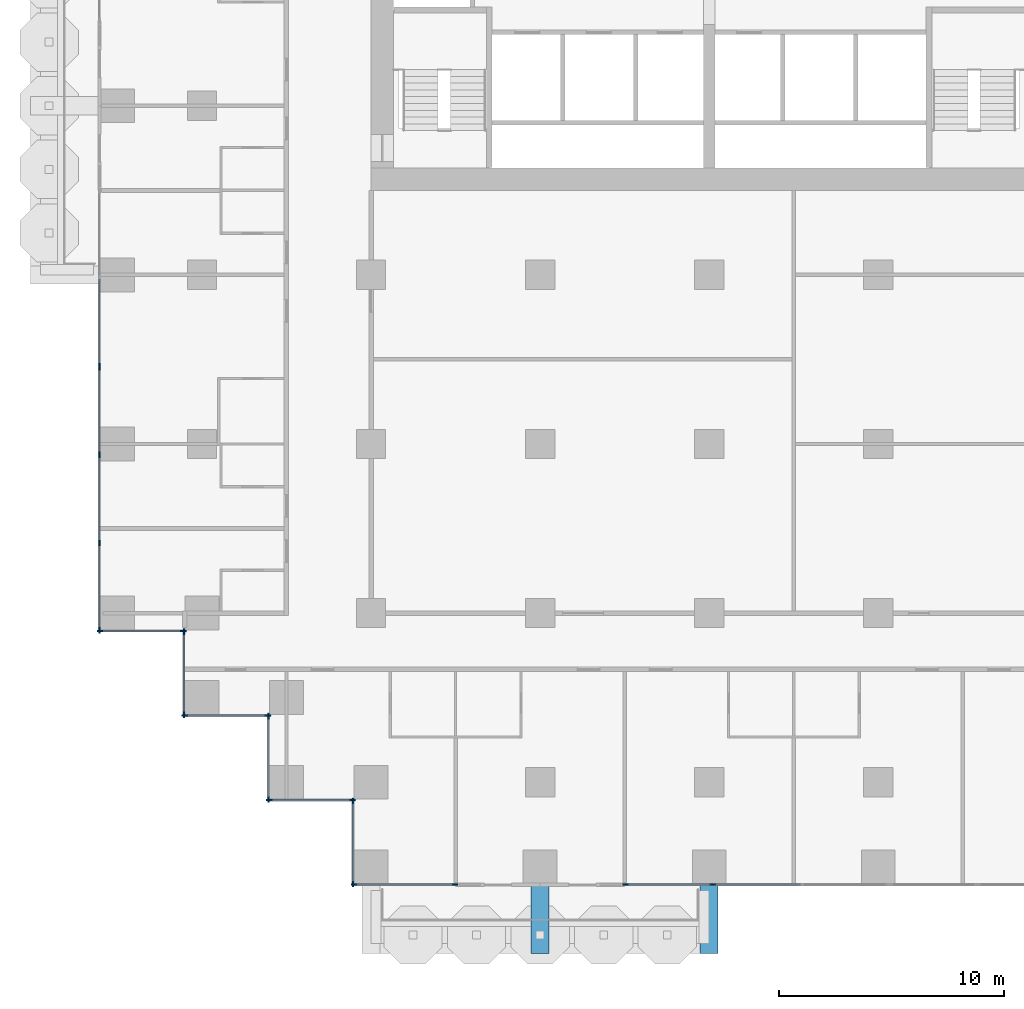
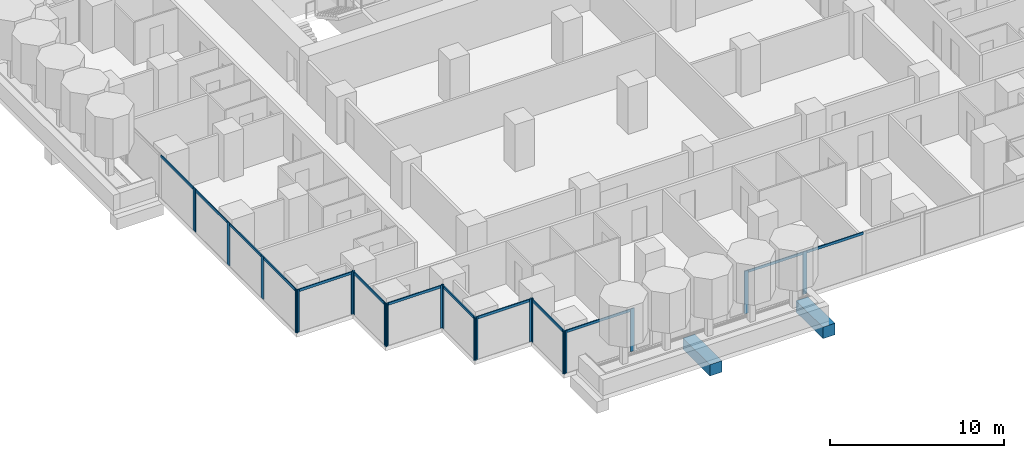
# One storey, part 2 of 18: 34 members, 2 beams, 10 elements without a shape of their own.
"""IFC4 building model written with IfcOpenShell, lengths in metres."""

from ifc_helpers import new_model, si_unit, direction, frame, origin, origin_2d, place, context, subcontext, project, spatial, rectangle, extrude, material, material_profile, profile_set, type_object, element, aggregate, save


model = new_model("IFC4")

# Units and contexts
model_context = context("Model", 3, precision=1e-05, world=origin(), true_north=direction((0.0, 1.0)))
body_context = subcontext(model_context, "Body", "Model", "MODEL_VIEW")
ifc_project = project(units=[si_unit("LENGTHUNIT", "METRE"), si_unit("AREAUNIT", "SQUARE_METRE"), si_unit("VOLUMEUNIT", "CUBIC_METRE"), si_unit("PLANEANGLEUNIT", "RADIAN"), si_unit("MASSUNIT", "GRAM", prefix="KILO")], contexts=[model_context])

# Site, building, storey
site_placement = place(None, origin())
site = spatial("IfcSite", under=ifc_project, at=site_placement, CompositionType="ELEMENT")
building_placement = place(site_placement, origin())
building = spatial("IfcBuilding", under=site, at=building_placement, Name="Pilkhan Gate Tower", CompositionType="ELEMENT")
storey_placement = place(building_placement, frame((0.0, 0.0, 82.39990234375)))
storey = spatial("IfcBuildingStorey", under=building, at=storey_placement, Name="L19", CompositionType="ELEMENT", Elevation=82.39990234375)

# Beams
ifc_material_1 = material(Name="Concrete C50/60", Category="concrete")
ifc_material_profile_1 = material_profile(ifc_material_1, rectangle(XDim=0.800048828125, YDim=0.800048828125, at=origin_2d()), Name="RC 800x800")
ifc_profile_set_1 = profile_set([ifc_material_profile_1], Name="Concrete C50/60")
beam_type = type_object("IfcBeamType", Name="Cantilever beam CB2 RC 800x800 C50/60", PredefinedType="BEAM", material=ifc_profile_set_1)
for number, where, z_axis, x_axis, name in (
    (1, (67.5, 40.5, -0.699951171875), (0.0, -1.0, 0.0), (1.0, 0.0, 0.0), "Balcony beam S.2 L19"),
    (2, (75.0, 40.5, -0.699951171875), (0.0, -1.0, 0.0), (1.0, 0.0, 0.0), "Balcony beam S.3 L19"),
):
    element("IfcBeam", number, at=place(storey_placement, frame(where, z_axis=z_axis, x_axis=x_axis)), inside=storey, type_object=beam_type, Name=name, PredefinedType="BEAM", context=body_context, shape_type="SweptSolid", body=[
        extrude(rectangle(XDim=0.800048828125, YDim=0.800048828125, at=origin_2d()), origin(), (0.0, 0.0, 1.0), 3.10009765625),
    ])

# Curtain wall, members
ifc_material_2 = material(Name="Pale anodised aluminium, clear low-iron double glazing", Category="aluminium")
curtain_wall_type = type_object("IfcCurtainWallType", Name="Hotel unitised curtain wall CW-H", PredefinedType="USERDEFINED", material=ifc_material_2)
curtain_wall_1_placement = place(storey_placement, origin())
curtain_wall_1 = element("IfcCurtainWall", 3, at=curtain_wall_1_placement, inside=storey, type_object=curtain_wall_type, Name="Hotel unitised curtain wall CW-H L19 W", ObjectType="UNITISED CURTAIN WALL", PredefinedType="USERDEFINED")
ifc_material_3 = material(Name="Pale anodised aluminium", Category="aluminium")
ifc_material_profile_2 = material_profile(ifc_material_3, rectangle(XDim=0.06494140625, YDim=0.25, at=origin_2d()), Name="Mullion 250x65")
ifc_profile_set_2 = profile_set([ifc_material_profile_2], Name="Pale anodised aluminium")
member_type_1 = type_object("IfcMemberType", Name="Mullion CW-H 250x65", PredefinedType="MULLION", material=ifc_profile_set_2)
member_1_placement = place(storey_placement, frame((47.955078125, 51.737548828125, 0.0), z_axis=(0.0, 0.0, 1.0), x_axis=(-1.0, 0.0, 0.0)))
member_1 = element("IfcMember", 4, at=member_1_placement, type_object=member_type_1, Name="CW-H mullion 1", PredefinedType="MULLION", context=body_context, shape_type="SweptSolid", body=[
    extrude(rectangle(XDim=0.06494140625, YDim=0.25, at=origin_2d()), origin(), (0.0, 0.0, 1.0), 3.0),
])
member_2_placement = place(storey_placement, frame((47.955078125, 55.614013671875, 0.0), z_axis=(0.0, 0.0, 1.0), x_axis=(-1.0, 0.0, 0.0)))
member_2 = element("IfcMember", 5, at=member_2_placement, type_object=member_type_1, Name="CW-H mullion 2", PredefinedType="MULLION", context=body_context, shape_type="SweptSolid", body=[
    extrude(rectangle(XDim=0.06494140625, YDim=0.25, at=origin_2d()), origin(), (0.0, 0.0, 1.0), 3.0),
])
member_3_placement = place(storey_placement, frame((47.955078125, 59.52294921875, 0.0), z_axis=(0.0, 0.0, 1.0), x_axis=(-1.0, 0.0, 0.0)))
member_3 = element("IfcMember", 6, at=member_3_placement, type_object=member_type_1, Name="CW-H mullion 3", PredefinedType="MULLION", context=body_context, shape_type="SweptSolid", body=[
    extrude(rectangle(XDim=0.06494140625, YDim=0.25, at=origin_2d()), origin(), (0.0, 0.0, 1.0), 3.0),
])
member_4_placement = place(storey_placement, frame((47.955078125, 63.3994140625, 0.0), z_axis=(0.0, 0.0, 1.0), x_axis=(-1.0, 0.0, 0.0)))
member_4 = element("IfcMember", 7, at=member_4_placement, type_object=member_type_1, Name="CW-H mullion 4", PredefinedType="MULLION", context=body_context, shape_type="SweptSolid", body=[
    extrude(rectangle(XDim=0.06494140625, YDim=0.25, at=origin_2d()), origin(), (0.0, 0.0, 1.0), 3.0),
])

# Curtain wall, member
curtain_wall_2_placement = place(storey_placement, origin())
curtain_wall_2 = element("IfcCurtainWall", 8, at=curtain_wall_2_placement, inside=storey, type_object=curtain_wall_type, Name="Hotel unitised curtain wall CW-H L19 W", ObjectType="UNITISED CURTAIN WALL", PredefinedType="USERDEFINED")
member_5_placement = place(storey_placement, frame((47.955078125, 63.464599609375, 0.0), z_axis=(0.0, 0.0, 1.0), x_axis=(-1.0, 0.0, 0.0)))
member_5 = element("IfcMember", 9, at=member_5_placement, type_object=member_type_1, Name="CW-H mullion 1", PredefinedType="MULLION", context=body_context, shape_type="SweptSolid", body=[
    extrude(rectangle(XDim=0.06494140625, YDim=0.25, at=origin_2d()), origin(), (0.0, 0.0, 1.0), 3.0),
])

# Curtain wall, members
curtain_wall_3_placement = place(storey_placement, origin())
curtain_wall_3 = element("IfcCurtainWall", 10, at=curtain_wall_3_placement, inside=storey, type_object=curtain_wall_type, Name="Hotel unitised curtain wall CW-H L19 S", ObjectType="UNITISED CURTAIN WALL", PredefinedType="USERDEFINED")
member_6_placement = place(storey_placement, frame((47.987548828125, 51.705078125, 0.0), z_axis=(0.0, 0.0, 1.0), x_axis=(0.0, 1.0, 0.0)))
member_6 = element("IfcMember", 11, at=member_6_placement, type_object=member_type_1, Name="CW-H mullion 1", PredefinedType="MULLION", context=body_context, shape_type="SweptSolid", body=[
    extrude(rectangle(XDim=0.06494140625, YDim=0.25, at=origin_2d()), origin(), (0.0, 0.0, 1.0), 3.0),
])
member_7_placement = place(storey_placement, frame((51.672607421875, 51.705078125, 0.0), z_axis=(0.0, 0.0, 1.0), x_axis=(0.0, 1.0, 0.0)))
member_7 = element("IfcMember", 12, at=member_7_placement, type_object=member_type_1, Name="CW-H mullion 2", PredefinedType="MULLION", context=body_context, shape_type="SweptSolid", body=[
    extrude(rectangle(XDim=0.06494140625, YDim=0.25, at=origin_2d()), origin(), (0.0, 0.0, 1.0), 3.0),
])

curtain_wall_4_placement = place(storey_placement, origin())
curtain_wall_4 = element("IfcCurtainWall", 13, at=curtain_wall_4_placement, inside=storey, type_object=curtain_wall_type, Name="Hotel unitised curtain wall CW-H L19 W", ObjectType="UNITISED CURTAIN WALL", PredefinedType="USERDEFINED")
member_8_placement = place(storey_placement, frame((51.705078125, 47.987548828125, 0.0), z_axis=(0.0, 0.0, 1.0), x_axis=(-1.0, 0.0, 0.0)))
member_8 = element("IfcMember", 14, at=member_8_placement, type_object=member_type_1, Name="CW-H mullion 1", PredefinedType="MULLION", context=body_context, shape_type="SweptSolid", body=[
    extrude(rectangle(XDim=0.06494140625, YDim=0.25, at=origin_2d()), origin(), (0.0, 0.0, 1.0), 3.0),
])
member_9_placement = place(storey_placement, frame((51.705078125, 51.672607421875, 0.0), z_axis=(0.0, 0.0, 1.0), x_axis=(-1.0, 0.0, 0.0)))
member_9 = element("IfcMember", 15, at=member_9_placement, type_object=member_type_1, Name="CW-H mullion 2", PredefinedType="MULLION", context=body_context, shape_type="SweptSolid", body=[
    extrude(rectangle(XDim=0.06494140625, YDim=0.25, at=origin_2d()), origin(), (0.0, 0.0, 1.0), 3.0),
])

curtain_wall_5_placement = place(storey_placement, origin())
curtain_wall_5 = element("IfcCurtainWall", 16, at=curtain_wall_5_placement, inside=storey, type_object=curtain_wall_type, Name="Hotel unitised curtain wall CW-H L19 S", ObjectType="UNITISED CURTAIN WALL", PredefinedType="USERDEFINED")
member_10_placement = place(storey_placement, frame((51.737548828125, 47.955078125, 0.0), z_axis=(0.0, 0.0, 1.0), x_axis=(0.0, 1.0, 0.0)))
member_10 = element("IfcMember", 17, at=member_10_placement, type_object=member_type_1, Name="CW-H mullion 1", PredefinedType="MULLION", context=body_context, shape_type="SweptSolid", body=[
    extrude(rectangle(XDim=0.06494140625, YDim=0.25, at=origin_2d()), origin(), (0.0, 0.0, 1.0), 3.0),
])
member_11_placement = place(storey_placement, frame((55.422607421875, 47.955078125, 0.0), z_axis=(0.0, 0.0, 1.0), x_axis=(0.0, 1.0, 0.0)))
member_11 = element("IfcMember", 18, at=member_11_placement, type_object=member_type_1, Name="CW-H mullion 2", PredefinedType="MULLION", context=body_context, shape_type="SweptSolid", body=[
    extrude(rectangle(XDim=0.06494140625, YDim=0.25, at=origin_2d()), origin(), (0.0, 0.0, 1.0), 3.0),
])

curtain_wall_6_placement = place(storey_placement, origin())
curtain_wall_6 = element("IfcCurtainWall", 19, at=curtain_wall_6_placement, inside=storey, type_object=curtain_wall_type, Name="Hotel unitised curtain wall CW-H L19 W", ObjectType="UNITISED CURTAIN WALL", PredefinedType="USERDEFINED")
member_12_placement = place(storey_placement, frame((55.455078125, 44.237548828125, 0.0), z_axis=(0.0, 0.0, 1.0), x_axis=(-1.0, 0.0, 0.0)))
member_12 = element("IfcMember", 20, at=member_12_placement, type_object=member_type_1, Name="CW-H mullion 1", PredefinedType="MULLION", context=body_context, shape_type="SweptSolid", body=[
    extrude(rectangle(XDim=0.06494140625, YDim=0.25, at=origin_2d()), origin(), (0.0, 0.0, 1.0), 3.0),
])
member_13_placement = place(storey_placement, frame((55.455078125, 47.922607421875, 0.0), z_axis=(0.0, 0.0, 1.0), x_axis=(-1.0, 0.0, 0.0)))
member_13 = element("IfcMember", 21, at=member_13_placement, type_object=member_type_1, Name="CW-H mullion 2", PredefinedType="MULLION", context=body_context, shape_type="SweptSolid", body=[
    extrude(rectangle(XDim=0.06494140625, YDim=0.25, at=origin_2d()), origin(), (0.0, 0.0, 1.0), 3.0),
])

curtain_wall_7_placement = place(storey_placement, origin())
curtain_wall_7 = element("IfcCurtainWall", 22, at=curtain_wall_7_placement, inside=storey, type_object=curtain_wall_type, Name="Hotel unitised curtain wall CW-H L19 S", ObjectType="UNITISED CURTAIN WALL", PredefinedType="USERDEFINED")
member_14_placement = place(storey_placement, frame((55.487548828125, 44.205078125, 0.0), z_axis=(0.0, 0.0, 1.0), x_axis=(0.0, 1.0, 0.0)))
member_14 = element("IfcMember", 23, at=member_14_placement, type_object=member_type_1, Name="CW-H mullion 1", PredefinedType="MULLION", context=body_context, shape_type="SweptSolid", body=[
    extrude(rectangle(XDim=0.06494140625, YDim=0.25, at=origin_2d()), origin(), (0.0, 0.0, 1.0), 3.0),
])
member_15_placement = place(storey_placement, frame((59.172607421875, 44.205078125, 0.0), z_axis=(0.0, 0.0, 1.0), x_axis=(0.0, 1.0, 0.0)))
member_15 = element("IfcMember", 24, at=member_15_placement, type_object=member_type_1, Name="CW-H mullion 2", PredefinedType="MULLION", context=body_context, shape_type="SweptSolid", body=[
    extrude(rectangle(XDim=0.06494140625, YDim=0.25, at=origin_2d()), origin(), (0.0, 0.0, 1.0), 3.0),
])

curtain_wall_8_placement = place(storey_placement, origin())
curtain_wall_8 = element("IfcCurtainWall", 25, at=curtain_wall_8_placement, inside=storey, type_object=curtain_wall_type, Name="Hotel unitised curtain wall CW-H L19 W", ObjectType="UNITISED CURTAIN WALL", PredefinedType="USERDEFINED")
member_16_placement = place(storey_placement, frame((59.205078125, 40.487548828125, 0.0), z_axis=(0.0, 0.0, 1.0), x_axis=(-1.0, 0.0, 0.0)))
member_16 = element("IfcMember", 26, at=member_16_placement, type_object=member_type_1, Name="CW-H mullion 1", PredefinedType="MULLION", context=body_context, shape_type="SweptSolid", body=[
    extrude(rectangle(XDim=0.06494140625, YDim=0.25, at=origin_2d()), origin(), (0.0, 0.0, 1.0), 3.0),
])
member_17_placement = place(storey_placement, frame((59.205078125, 44.172607421875, 0.0), z_axis=(0.0, 0.0, 1.0), x_axis=(-1.0, 0.0, 0.0)))
member_17 = element("IfcMember", 27, at=member_17_placement, type_object=member_type_1, Name="CW-H mullion 2", PredefinedType="MULLION", context=body_context, shape_type="SweptSolid", body=[
    extrude(rectangle(XDim=0.06494140625, YDim=0.25, at=origin_2d()), origin(), (0.0, 0.0, 1.0), 3.0),
])

curtain_wall_9_placement = place(storey_placement, origin())
curtain_wall_9 = element("IfcCurtainWall", 28, at=curtain_wall_9_placement, inside=storey, type_object=curtain_wall_type, Name="Hotel unitised curtain wall CW-H L19 S", ObjectType="UNITISED CURTAIN WALL", PredefinedType="USERDEFINED")
member_18_placement = place(storey_placement, frame((59.237548828125, 40.455078125, 0.0), z_axis=(0.0, 0.0, 1.0), x_axis=(0.0, 1.0, 0.0)))
member_18 = element("IfcMember", 29, at=member_18_placement, type_object=member_type_1, Name="CW-H mullion 1", PredefinedType="MULLION", context=body_context, shape_type="SweptSolid", body=[
    extrude(rectangle(XDim=0.06494140625, YDim=0.25, at=origin_2d()), origin(), (0.0, 0.0, 1.0), 3.0),
])
member_19_placement = place(storey_placement, frame((63.717529296875, 40.455078125, 0.0), z_axis=(0.0, 0.0, 1.0), x_axis=(0.0, 1.0, 0.0)))
member_19 = element("IfcMember", 30, at=member_19_placement, type_object=member_type_1, Name="CW-H mullion 2", PredefinedType="MULLION", context=body_context, shape_type="SweptSolid", body=[
    extrude(rectangle(XDim=0.06494140625, YDim=0.25, at=origin_2d()), origin(), (0.0, 0.0, 1.0), 3.0),
])

curtain_wall_10_placement = place(storey_placement, origin())
curtain_wall_10 = element("IfcCurtainWall", 31, at=curtain_wall_10_placement, inside=storey, type_object=curtain_wall_type, Name="Hotel unitised curtain wall CW-H L19 S", ObjectType="UNITISED CURTAIN WALL", PredefinedType="USERDEFINED")
member_20_placement = place(storey_placement, frame((71.282470703125, 40.455078125, 0.0), z_axis=(0.0, 0.0, 1.0), x_axis=(0.0, 1.0, 0.0)))
member_20 = element("IfcMember", 32, at=member_20_placement, type_object=member_type_1, Name="CW-H mullion 1", PredefinedType="MULLION", context=body_context, shape_type="SweptSolid", body=[
    extrude(rectangle(XDim=0.06494140625, YDim=0.25, at=origin_2d()), origin(), (0.0, 0.0, 1.0), 3.0),
])
member_21_placement = place(storey_placement, frame((75.158935546875, 40.455078125, 0.0), z_axis=(0.0, 0.0, 1.0), x_axis=(0.0, 1.0, 0.0)))
member_21 = element("IfcMember", 33, at=member_21_placement, type_object=member_type_1, Name="CW-H mullion 2", PredefinedType="MULLION", context=body_context, shape_type="SweptSolid", body=[
    extrude(rectangle(XDim=0.06494140625, YDim=0.25, at=origin_2d()), origin(), (0.0, 0.0, 1.0), 3.0),
])

# Member
ifc_material_profile_3 = material_profile(ifc_material_3, rectangle(XDim=0.06494140625, YDim=0.179931640625, at=origin_2d()), Name="Transom 180x65")
ifc_profile_set_3 = profile_set([ifc_material_profile_3], Name="Pale anodised aluminium")
member_type_2 = type_object("IfcMemberType", Name="Transom CW-H 180x65", PredefinedType="USERDEFINED", material=ifc_profile_set_3)
member_22_placement = place(storey_placement, frame((47.955078125, 51.77001953125, 2.91015625), z_axis=(0.0, 1.0, 0.0), x_axis=(-1.0, 0.0, 0.0)))
member_22 = element("IfcMember", 34, at=member_22_placement, type_object=member_type_2, Name="CW-H transom 1", ObjectType="TRANSOM", PredefinedType="USERDEFINED", context=body_context, shape_type="SweptSolid", body=[
    extrude(rectangle(XDim=0.06494140625, YDim=0.179931640625, at=origin_2d()), origin(), (0.0, 0.0, 1.0), 3.8115234375),
])

member_23_placement = place(storey_placement, frame((47.955078125, 55.646484375, 2.91015625), z_axis=(0.0, 1.0, 0.0), x_axis=(-1.0, 0.0, 0.0)))
member_23 = element("IfcMember", 35, at=member_23_placement, type_object=member_type_2, Name="CW-H transom 2", ObjectType="TRANSOM", PredefinedType="USERDEFINED", context=body_context, shape_type="SweptSolid", body=[
    extrude(rectangle(XDim=0.06494140625, YDim=0.179931640625, at=origin_2d()), origin(), (0.0, 0.0, 1.0), 3.843994140625),
])

member_24_placement = place(storey_placement, frame((47.955078125, 59.555419921875, 2.91015625), z_axis=(0.0, 1.0, 0.0), x_axis=(-1.0, 0.0, 0.0)))
member_24 = element("IfcMember", 36, at=member_24_placement, type_object=member_type_2, Name="CW-H transom 3", ObjectType="TRANSOM", PredefinedType="USERDEFINED", context=body_context, shape_type="SweptSolid", body=[
    extrude(rectangle(XDim=0.06494140625, YDim=0.179931640625, at=origin_2d()), origin(), (0.0, 0.0, 1.0), 3.8115234375),
])

aggregate(curtain_wall_1, [member_1, member_2, member_3, member_4, member_22, member_23, member_24])

member_25_placement = place(storey_placement, frame((47.955078125, 63.4970703125, 2.91015625), z_axis=(0.0, 1.0, 0.0), x_axis=(-1.0, 0.0, 0.0)))
member_25 = element("IfcMember", 37, at=member_25_placement, type_object=member_type_2, Name="CW-H transom 1", ObjectType="TRANSOM", PredefinedType="USERDEFINED", context=body_context, shape_type="SweptSolid", body=[
    extrude(rectangle(XDim=0.06494140625, YDim=0.179931640625, at=origin_2d()), origin(), (0.0, 0.0, 1.0), 3.8115234375),
])

aggregate(curtain_wall_2, [member_5, member_25])

member_26_placement = place(storey_placement, frame((48.02001953125, 51.705078125, 2.91015625), z_axis=(1.0, 0.0, 0.0), x_axis=(0.0, 1.0, 0.0)))
member_26 = element("IfcMember", 38, at=member_26_placement, type_object=member_type_2, Name="CW-H transom 1", ObjectType="TRANSOM", PredefinedType="USERDEFINED", context=body_context, shape_type="SweptSolid", body=[
    extrude(rectangle(XDim=0.06494140625, YDim=0.179931640625, at=origin_2d()), origin(), (0.0, 0.0, 1.0), 3.619873046875),
])

aggregate(curtain_wall_3, [member_6, member_7, member_26])

member_27_placement = place(storey_placement, frame((51.705078125, 48.02001953125, 2.91015625), z_axis=(0.0, 1.0, 0.0), x_axis=(-1.0, 0.0, 0.0)))
member_27 = element("IfcMember", 39, at=member_27_placement, type_object=member_type_2, Name="CW-H transom 1", ObjectType="TRANSOM", PredefinedType="USERDEFINED", context=body_context, shape_type="SweptSolid", body=[
    extrude(rectangle(XDim=0.06494140625, YDim=0.179931640625, at=origin_2d()), origin(), (0.0, 0.0, 1.0), 3.619873046875),
])

aggregate(curtain_wall_4, [member_8, member_9, member_27])

member_28_placement = place(storey_placement, frame((51.77001953125, 47.955078125, 2.91015625), z_axis=(1.0, 0.0, 0.0), x_axis=(0.0, 1.0, 0.0)))
member_28 = element("IfcMember", 40, at=member_28_placement, type_object=member_type_2, Name="CW-H transom 1", ObjectType="TRANSOM", PredefinedType="USERDEFINED", context=body_context, shape_type="SweptSolid", body=[
    extrude(rectangle(XDim=0.06494140625, YDim=0.179931640625, at=origin_2d()), origin(), (0.0, 0.0, 1.0), 3.619873046875),
])

aggregate(curtain_wall_5, [member_10, member_11, member_28])

member_29_placement = place(storey_placement, frame((55.455078125, 44.27001953125, 2.91015625), z_axis=(0.0, 1.0, 0.0), x_axis=(-1.0, 0.0, 0.0)))
member_29 = element("IfcMember", 41, at=member_29_placement, type_object=member_type_2, Name="CW-H transom 1", ObjectType="TRANSOM", PredefinedType="USERDEFINED", context=body_context, shape_type="SweptSolid", body=[
    extrude(rectangle(XDim=0.06494140625, YDim=0.179931640625, at=origin_2d()), origin(), (0.0, 0.0, 1.0), 3.619873046875),
])

aggregate(curtain_wall_6, [member_12, member_13, member_29])

member_30_placement = place(storey_placement, frame((55.52001953125, 44.205078125, 2.91015625), z_axis=(1.0, 0.0, 0.0), x_axis=(0.0, 1.0, 0.0)))
member_30 = element("IfcMember", 42, at=member_30_placement, type_object=member_type_2, Name="CW-H transom 1", ObjectType="TRANSOM", PredefinedType="USERDEFINED", context=body_context, shape_type="SweptSolid", body=[
    extrude(rectangle(XDim=0.06494140625, YDim=0.179931640625, at=origin_2d()), origin(), (0.0, 0.0, 1.0), 3.619873046875),
])

aggregate(curtain_wall_7, [member_14, member_15, member_30])

member_31_placement = place(storey_placement, frame((59.205078125, 40.52001953125, 2.91015625), z_axis=(0.0, 1.0, 0.0), x_axis=(-1.0, 0.0, 0.0)))
member_31 = element("IfcMember", 43, at=member_31_placement, type_object=member_type_2, Name="CW-H transom 1", ObjectType="TRANSOM", PredefinedType="USERDEFINED", context=body_context, shape_type="SweptSolid", body=[
    extrude(rectangle(XDim=0.06494140625, YDim=0.179931640625, at=origin_2d()), origin(), (0.0, 0.0, 1.0), 3.619873046875),
])

aggregate(curtain_wall_8, [member_16, member_17, member_31])

member_32_placement = place(storey_placement, frame((59.27001953125, 40.455078125, 2.91015625), z_axis=(1.0, 0.0, 0.0), x_axis=(0.0, 1.0, 0.0)))
member_32 = element("IfcMember", 44, at=member_32_placement, type_object=member_type_2, Name="CW-H transom 1", ObjectType="TRANSOM", PredefinedType="USERDEFINED", context=body_context, shape_type="SweptSolid", body=[
    extrude(rectangle(XDim=0.06494140625, YDim=0.179931640625, at=origin_2d()), origin(), (0.0, 0.0, 1.0), 4.4150390625),
])

aggregate(curtain_wall_9, [member_18, member_19, member_32])

member_33_placement = place(storey_placement, frame((71.31494140625, 40.455078125, 2.91015625), z_axis=(1.0, 0.0, 0.0), x_axis=(0.0, 1.0, 0.0)))
member_33 = element("IfcMember", 45, at=member_33_placement, type_object=member_type_2, Name="CW-H transom 1", ObjectType="TRANSOM", PredefinedType="USERDEFINED", context=body_context, shape_type="SweptSolid", body=[
    extrude(rectangle(XDim=0.06494140625, YDim=0.179931640625, at=origin_2d()), origin(), (0.0, 0.0, 1.0), 3.8115234375),
])

member_34_placement = place(storey_placement, frame((75.19140625, 40.455078125, 2.91015625), z_axis=(1.0, 0.0, 0.0), x_axis=(0.0, 1.0, 0.0)))
member_34 = element("IfcMember", 46, at=member_34_placement, type_object=member_type_2, Name="CW-H transom 2", ObjectType="TRANSOM", PredefinedType="USERDEFINED", context=body_context, shape_type="SweptSolid", body=[
    extrude(rectangle(XDim=0.06494140625, YDim=0.179931640625, at=origin_2d()), origin(), (0.0, 0.0, 1.0), 3.843994140625),
])

aggregate(curtain_wall_10, [member_20, member_21, member_33, member_34])

save(model, "model.ifc")
